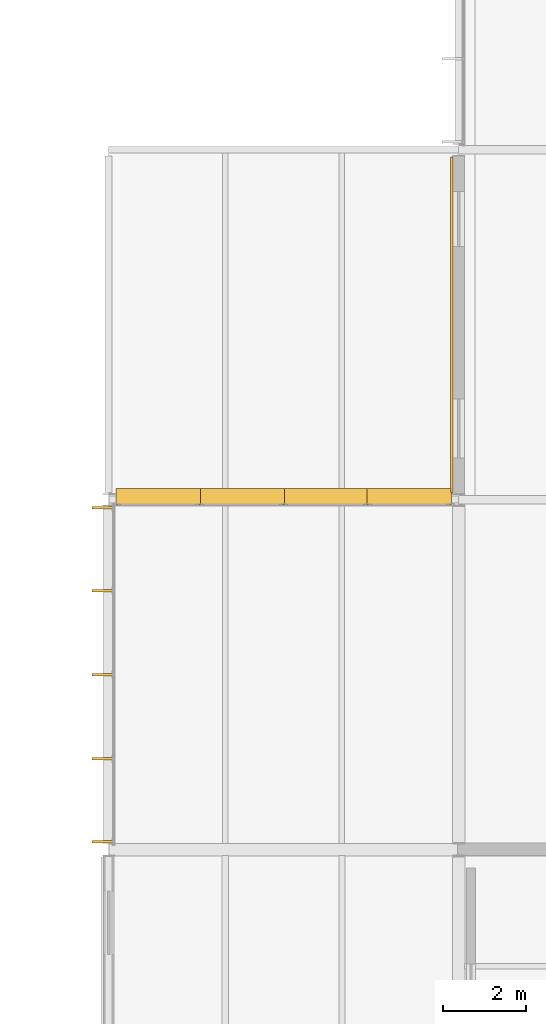
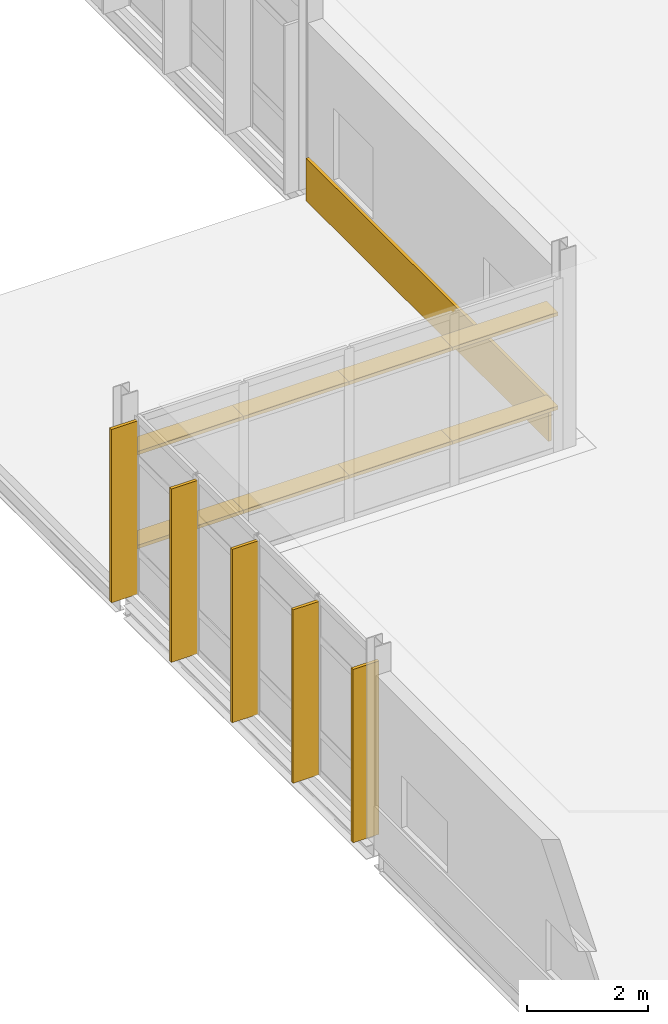
# One storey, part 62 of 66: 13 shading devices, 1 covering.
"""IFC4 building model written with IfcOpenShell, lengths in metres."""

from ifc_helpers import new_model, si_unit, direction, frame, origin, origin_2d, place, context, subcontext, project, spatial, rectangle, extrude, material, layer, layer_set, type_object, element, save


model = new_model("IFC4")

# Units and contexts
model_context = context("Model", 3, precision=1e-05, world=origin(), true_north=direction((0.0, 1.0)))
body_context = subcontext(model_context, "Body", "Model", "MODEL_VIEW")
ifc_project = project(units=[si_unit("LENGTHUNIT", "METRE"), si_unit("AREAUNIT", "SQUARE_METRE"), si_unit("VOLUMEUNIT", "CUBIC_METRE"), si_unit("PLANEANGLEUNIT", "RADIAN"), si_unit("MASSUNIT", "GRAM", prefix="KILO")], contexts=[model_context])

# Site, building, storey
site_placement = place(None, origin())
site = spatial("IfcSite", under=ifc_project, at=site_placement, CompositionType="ELEMENT")
building_placement = place(site_placement, origin())
building = spatial("IfcBuilding", under=site, at=building_placement, Name="Mersafa Astral City Hall", CompositionType="ELEMENT")
storey_placement = place(building_placement, frame((0.0, 0.0, 22.050048828125)))
storey = spatial("IfcBuildingStorey", under=building, at=storey_placement, Name="L05", CompositionType="ELEMENT", Elevation=22.050048828125)

# Covering
ifc_material_1 = material(Name="Cairo Mokattam buff limestone cladding", Category="masonry")
ifc_layer = layer(ifc_material_1, 0.06005859375, Name="Cairo Mokattam buff limestone cladding")
ifc_layer_set = layer_set([ifc_layer], Name="Cairo Mokattam buff limestone cladding — ENV-COV-LIMESTONE-60")
covering_type = type_object("IfcCoveringType", Name="ENV-COV-LIMESTONE-60", PredefinedType="CLADDING", material=ifc_layer_set)
covering_placement = place(storey_placement, frame((167.837890625, 79.800048828125, 0.0), z_axis=(0.0, 0.0, 1.0), x_axis=(0.0, -1.0, 0.0)))
element("IfcCovering", 1, at=covering_placement, inside=storey, type_object=covering_type, Name="L05 Cairo buff limestone rainscreen cladding 345", PredefinedType="CLADDING", context=body_context, shape_type="SweptSolid", body=[
    extrude(rectangle(XDim=8.048095703125, YDim=0.06005859375, at=origin_2d()), origin(), (0.0, 0.0, 1.0), 0.860107421875),
])

# Shading devices
ifc_material_2 = material(Name="Anodised bronze aluminium solar fin", Category="aluminium")
shading_device_type_1 = type_object("IfcShadingDeviceType", Name="ENV-SHD-FIN-500A", PredefinedType="USERDEFINED", material=ifc_material_2)
for number, where, z_axis, x_axis, name in (
    (2, (159.455078125, 75.407958984375, -0.01513671875), (0.0, 0.0, 1.0), (0.0, -1.0, 0.0), "L05 Vertical bronze solar fin 1582"),
    (3, (159.455078125, 73.4189453125, -0.01513671875), (0.0, 0.0, 1.0), (0.0, -1.0, 0.0), "L05 Vertical bronze solar fin 1583"),
    (4, (159.455078125, 71.39990234375, -0.01513671875), (0.0, 0.0, 1.0), (0.0, -1.0, 0.0), "L05 Vertical bronze solar fin 1584"),
    (5, (159.455078125, 69.381103515625, -0.01513671875), (0.0, 0.0, 1.0), (0.0, -1.0, 0.0), "L05 Vertical bronze solar fin 1585"),
    (6, (159.455078125, 67.39208984375, -0.01513671875), (0.0, 0.0, 1.0), (0.0, -1.0, 0.0), "L05 Vertical bronze solar fin 1586"),
):
    element("IfcShadingDevice", number, at=place(storey_placement, frame(where, z_axis=z_axis, x_axis=x_axis)), inside=storey, type_object=shading_device_type_1, Name=name, ObjectType="FIN", PredefinedType="USERDEFINED", context=body_context, shape_type="SweptSolid", body=[
        extrude(rectangle(XDim=0.06005859375, YDim=0.5, at=origin_2d()), origin(), (0.0, 0.0, 1.0), 3.511962890625),
    ])
ifc_material_3 = material(Name="Kiln-dried cedar timber brise-soleil blade", Category="wood")
shading_device_type_2 = type_object("IfcShadingDeviceType", Name="ENV-SHD-LOUVRE-380", PredefinedType="JALOUSIE", material=ifc_material_3)
shading_device_1_placement = place(storey_placement, frame((166.8134765625, 75.679931640625, 0.81494140625), z_axis=(0.0, 0.0, 1.0), x_axis=(-1.0, 0.0, 0.0)))
element("IfcShadingDevice", 7, at=shading_device_1_placement, inside=storey, type_object=shading_device_type_2, Name="L05 Horizontal cedar brise-soleil louvre 1574", PredefinedType="JALOUSIE", context=body_context, shape_type="SweptSolid", body=[
    extrude(rectangle(XDim=2.029052734375, YDim=0.3798828125, at=origin_2d()), origin(), (0.0, 0.0, 1.0), 0.070068359375),
])
for number, where, z_axis, x_axis, name in (
    (8, (164.8095703125, 75.679931640625, 0.81494140625), (0.0, 0.0, 1.0), (-1.0, 0.0, 0.0), "L05 Horizontal cedar brise-soleil louvre 1575"),
    (9, (162.79052734375, 75.679931640625, 0.81494140625), (0.0, 0.0, 1.0), (-1.0, 0.0, 0.0), "L05 Horizontal cedar brise-soleil louvre 1576"),
):
    element("IfcShadingDevice", number, at=place(storey_placement, frame(where, z_axis=z_axis, x_axis=x_axis)), inside=storey, type_object=shading_device_type_2, Name=name, PredefinedType="JALOUSIE", context=body_context, shape_type="SweptSolid", body=[
        extrude(rectangle(XDim=2.05908203125, YDim=0.3798828125, at=origin_2d()), origin(), (0.0, 0.0, 1.0), 0.070068359375),
    ])
for number, where, z_axis, x_axis, name in (
    (10, (160.78662109375, 75.679931640625, 0.81494140625), (0.0, 0.0, 1.0), (-1.0, 0.0, 0.0), "L05 Horizontal cedar brise-soleil louvre 1577"),
    (11, (166.8134765625, 75.679931640625, 2.71484375), (0.0, 0.0, 1.0), (-1.0, 0.0, 0.0), "L05 Horizontal cedar brise-soleil louvre 1578"),
):
    element("IfcShadingDevice", number, at=place(storey_placement, frame(where, z_axis=z_axis, x_axis=x_axis)), inside=storey, type_object=shading_device_type_2, Name=name, PredefinedType="JALOUSIE", context=body_context, shape_type="SweptSolid", body=[
        extrude(rectangle(XDim=2.029052734375, YDim=0.3798828125, at=origin_2d()), origin(), (0.0, 0.0, 1.0), 0.070068359375),
    ])
for number, where, z_axis, x_axis, name in (
    (12, (164.8095703125, 75.679931640625, 2.71484375), (0.0, 0.0, 1.0), (-1.0, 0.0, 0.0), "L05 Horizontal cedar brise-soleil louvre 1579"),
    (13, (162.79052734375, 75.679931640625, 2.71484375), (0.0, 0.0, 1.0), (-1.0, 0.0, 0.0), "L05 Horizontal cedar brise-soleil louvre 1580"),
):
    element("IfcShadingDevice", number, at=place(storey_placement, frame(where, z_axis=z_axis, x_axis=x_axis)), inside=storey, type_object=shading_device_type_2, Name=name, PredefinedType="JALOUSIE", context=body_context, shape_type="SweptSolid", body=[
        extrude(rectangle(XDim=2.05908203125, YDim=0.3798828125, at=origin_2d()), origin(), (0.0, 0.0, 1.0), 0.070068359375),
    ])
shading_device_2_placement = place(storey_placement, frame((160.78662109375, 75.679931640625, 2.71484375), z_axis=(0.0, 0.0, 1.0), x_axis=(-1.0, 0.0, 0.0)))
element("IfcShadingDevice", 14, at=shading_device_2_placement, inside=storey, type_object=shading_device_type_2, Name="L05 Horizontal cedar brise-soleil louvre 1581", PredefinedType="JALOUSIE", context=body_context, shape_type="SweptSolid", body=[
    extrude(rectangle(XDim=2.029052734375, YDim=0.3798828125, at=origin_2d()), origin(), (0.0, 0.0, 1.0), 0.070068359375),
])

save(model, "model.ifc")
